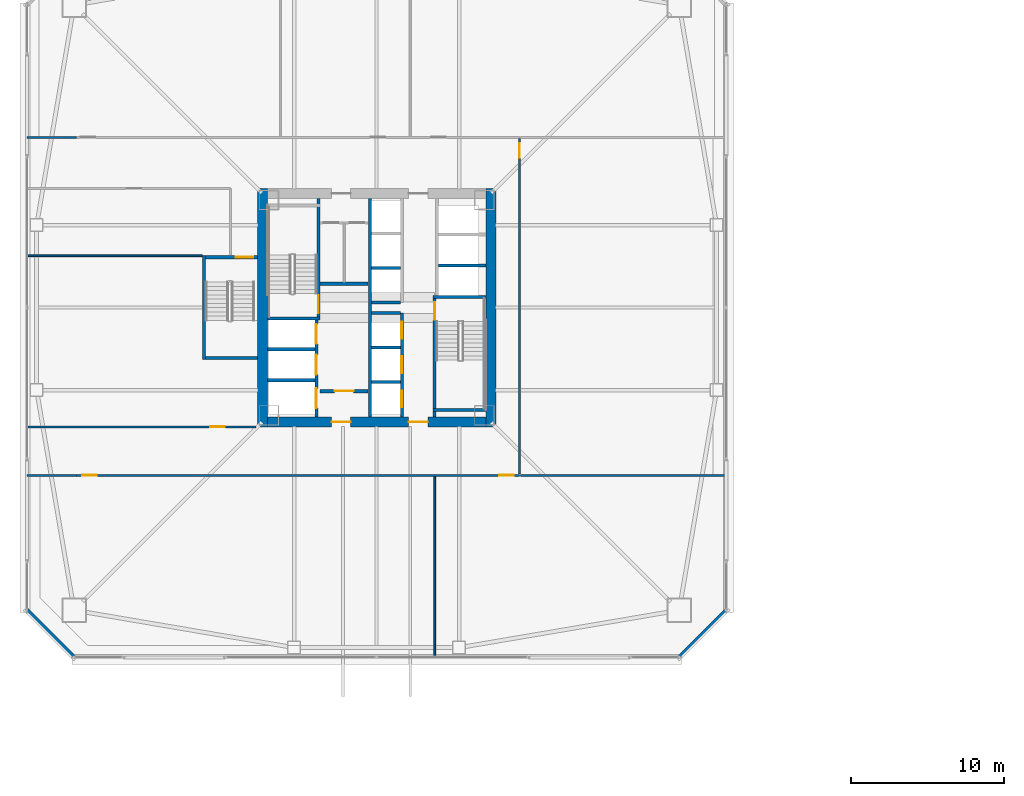
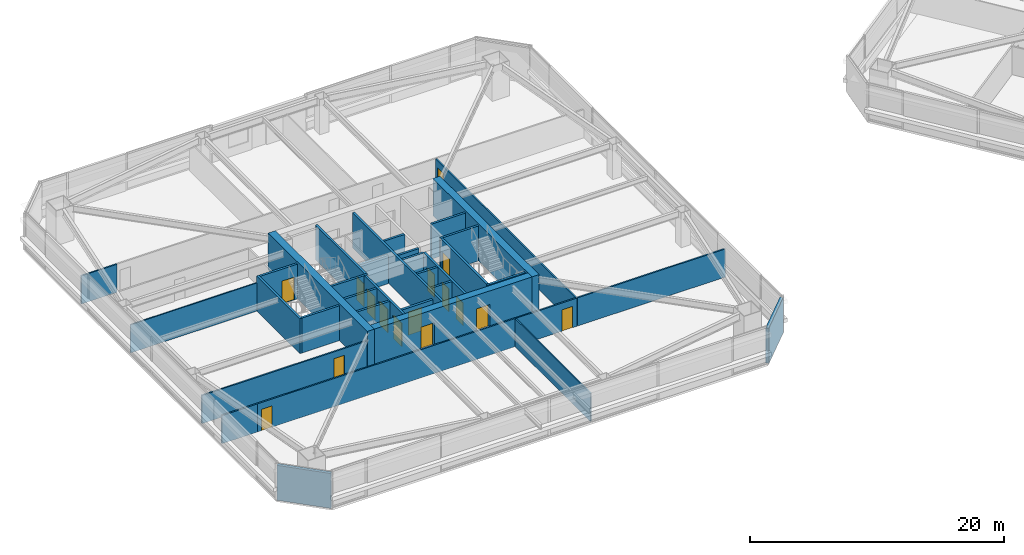
# One storey, part 37 of 48: 34 walls, 16 doors, 16 openings.
"""IFC4 building model written with IfcOpenShell, lengths in metres."""

import ifcopenshell
import ifcopenshell.guid

model = None  # the IFC model being written
_history = None  # IfcOwnerHistory: only IFC2X3 demands one
_inside = {}  # id of a spatial element -> (the spatial element, [elements in it])
_under = {}  # id of a project, library or spatial element -> (it, [spatial elements below it])
_declared = {}  # id of a project -> (the project, [libraries it declares])
_typed = {}  # id of a type object -> (the type object, [elements of that type])
_made_of = {}  # id of a material, layer set ... -> (it, [elements and type objects made of it])


def new_model(schema):
    """Start an empty IFC model of exactly this schema.

    Asked for "IFC4X3", IfcOpenShell would pick the latest addendum, in which some entities
    have other attributes; the version numbers below select the first issue.
    IFC2X3 requires an IfcOwnerHistory on every rooted entity: one is made here for all.
    """
    global model, _history
    if schema == "IFC4X3":
        model = ifcopenshell.file(schema_version=(4, 3, 0, 0))
    else:
        model = ifcopenshell.file(schema=schema)
    _inside.clear()
    _under.clear()
    _declared.clear()
    _typed.clear()
    _made_of.clear()
    _history = None
    if model.schema == "IFC2X3":
        org = make("IfcOrganization", Name="unknown")
        user = make(
            "IfcPersonAndOrganization",
            ThePerson=make("IfcPerson", FamilyName="unknown"),
            TheOrganization=org,
        )
        app = make(
            "IfcApplication",
            ApplicationDeveloper=org,
            Version="unknown",
            ApplicationFullName="unknown",
            ApplicationIdentifier="unknown",
        )
        _history = make(
            "IfcOwnerHistory",
            OwningUser=user,
            OwningApplication=app,
            ChangeAction="ADDED",
            CreationDate=0,
        )
    return model


def make(cls, **values):
    """One entity of the class cls with the attributes given. An attribute that is None is left unset."""
    return model.create_entity(
        cls, **{name: value for name, value in values.items() if value is not None}
    )


def rooted(cls, **values):
    """An entity with a GlobalId (a new one), such as an element, a storey or a relation."""
    return make(cls, GlobalId=ifcopenshell.guid.new(), OwnerHistory=_history, **values)


def si_unit(unit_type, name, prefix=None):
    """IfcSIUnit, for example si_unit("LENGTHUNIT", "METRE", prefix="MILLI")."""
    return make("IfcSIUnit", UnitType=unit_type, Prefix=prefix, Name=name)


def assignment(units):
    """IfcUnitAssignment: the units of a project."""
    return None if units is None else make("IfcUnitAssignment", Units=units)


def point(xyz):
    """IfcCartesianPoint."""
    return None if xyz is None else make("IfcCartesianPoint", Coordinates=xyz)


def direction(xyz):
    """IfcDirection."""
    return None if xyz is None else make("IfcDirection", DirectionRatios=xyz)


def frame(location, z_axis=None, x_axis=None):
    """IfcAxis2Placement3D, a coordinate frame: its origin and axes. An axis left out is left unset."""
    return make(
        "IfcAxis2Placement3D",
        Location=point(location),
        Axis=direction(z_axis),
        RefDirection=direction(x_axis),
    )


def frame_2d(location, x_axis=None):
    """IfcAxis2Placement2D, a coordinate frame in the plane: its origin and x axis."""
    return make(
        "IfcAxis2Placement2D", Location=point(location), RefDirection=direction(x_axis)
    )


def origin():
    """The frame at (0, 0, 0) with its axes left unset."""
    return frame((0.0, 0.0, 0.0))


def place(relative_to, where):
    """IfcLocalPlacement: puts the frame where relative to a parent placement (None: the world)."""
    return make(
        "IfcLocalPlacement", PlacementRelTo=relative_to, RelativePlacement=where
    )


def context(
    kind, dimensions, precision=None, world=None, true_north=None, identifier=None
):
    """IfcGeometricRepresentationContext, for example the 3D "Model" context."""
    return make(
        "IfcGeometricRepresentationContext",
        ContextIdentifier=identifier,
        ContextType=kind,
        CoordinateSpaceDimension=dimensions,
        Precision=precision,
        WorldCoordinateSystem=world,
        TrueNorth=true_north,
    )


def subcontext(parent, identifier, kind, view, scale=None):
    """IfcGeometricRepresentationSubContext, for example "Body" below "Model"."""
    return make(
        "IfcGeometricRepresentationSubContext",
        ContextIdentifier=identifier,
        ContextType=kind,
        ParentContext=parent,
        TargetScale=scale,
        TargetView=view,
    )


def project(units=None, contexts=None):
    """IfcProject with its units and contexts."""
    return rooted(
        "IfcProject",
        Name="project",
        RepresentationContexts=contexts,
        UnitsInContext=assignment(units),
    )


def spatial(cls, under=None, at=None, **own):
    """A site, building, storey or space (cls), placed at a placement, below another one or the project."""
    s = rooted(cls, ObjectPlacement=at, **own)
    if under is not None:
        _under.setdefault(under.id(), (under, []))[1].append(s)
    return s


def profile(cls, at=None, kind="AREA", **sizes):
    """A parametric profile (cls). Its sizes go by their IFC names, for example OverallWidth=200.0."""
    return make(cls, ProfileType=kind, Position=at, **sizes)


def rectangle(**sizes):
    """IfcRectangleProfileDef."""
    return profile("IfcRectangleProfileDef", **sizes)


def extrude(swept, where, along, depth):
    """IfcExtrudedAreaSolid: the profile swept, set in the frame where, extruded along a direction by depth."""
    return make(
        "IfcExtrudedAreaSolid",
        SweptArea=swept,
        Position=where,
        ExtrudedDirection=direction(along),
        Depth=depth,
    )


def shape(context_of_items, identifier, shape_type, items):
    """IfcShapeRepresentation: the items that make up one representation, for example the "Body"."""
    return make(
        "IfcShapeRepresentation",
        ContextOfItems=context_of_items,
        RepresentationIdentifier=identifier,
        RepresentationType=shape_type,
        Items=items,
    )


def material(Name=None, Category=None):
    """IfcMaterial."""
    return make("IfcMaterial", Name=Name, Category=Category)


def layer(
    of_material, thickness, ventilated=None, Name=None, Category=None, Priority=None
):
    """IfcMaterialLayer: one layer of a wall or slab, of a material (None: an air gap)."""
    return make(
        "IfcMaterialLayer",
        Material=of_material,
        LayerThickness=thickness,
        IsVentilated=ventilated,
        Name=Name,
        Category=Category,
        Priority=Priority,
    )


def layer_set(layers, Name=None):
    """IfcMaterialLayerSet."""
    return make("IfcMaterialLayerSet", MaterialLayers=layers, LayerSetName=Name)


def made_of(thing, what):
    """Note that an element or type object is made of a material, layer set ...; save() writes the relation."""
    if what is not None:
        _made_of.setdefault(what.id(), (what, []))[1].append(thing)
    return thing


def type_object(cls, material=None, **own):
    """A type object (cls), such as IfcWallType, which elements share."""
    return made_of(rooted(cls, **own), material)


def element(
    cls,
    number,
    at=None,
    inside=None,
    cuts=None,
    type_object=None,
    material=None,
    context=None,
    identifier="Body",
    shape_type=None,
    held_by="IfcProductDefinitionShape",
    body=None,
    shapes=None,
    **own,
):
    """One element of the class cls, such as IfcWall. Its Tag is "e" and its number.

    at: its placement. inside: the storey or other place that contains it. cuts: it is an
    opening in that element (IfcRelVoidsElement). A single representation is given by context,
    identifier, shape_type and body (its items); several are given by shapes. held_by: the class
    of the entity that holds the representations. save() writes the other relations.
    """
    e = rooted(cls, Tag="e%d" % number, ObjectPlacement=at, **own)
    if body is not None:
        shapes = [shape(context, identifier, shape_type, body)]
    if shapes is not None:
        e.Representation = make(held_by, Representations=shapes)
    if inside is not None:
        _inside.setdefault(inside.id(), (inside, []))[1].append(e)
    if cuts is not None:
        rooted(
            "IfcRelVoidsElement", RelatingBuildingElement=cuts, RelatedOpeningElement=e
        )
    if type_object is not None:
        _typed.setdefault(type_object.id(), (type_object, []))[1].append(e)
    return made_of(e, material)


def fill(opening, filler):
    """IfcRelFillsElement: the door or window that sits in an opening."""
    return rooted(
        "IfcRelFillsElement",
        RelatingOpeningElement=opening,
        RelatedBuildingElement=filler,
    )


def aggregate(whole, parts):
    """IfcRelAggregates: a whole, such as a stair, and the parts it consists of."""
    return rooted("IfcRelAggregates", RelatingObject=whole, RelatedObjects=parts)


def save(model, path):
    """Write the relations noted so far, then the file.

    IfcRelAggregates (storeys below a building ...), IfcRelContainedInSpatialStructure (elements
    in a storey), IfcRelDefinesByType, IfcRelAssociatesMaterial and IfcRelDeclares: one each for
    every whole, place, type object, material and project.
    """
    for whole, parts in _under.values():
        aggregate(whole, parts)
    for where, things in _inside.values():
        rooted(
            "IfcRelContainedInSpatialStructure",
            RelatedElements=things,
            RelatingStructure=where,
        )
    for kind, things in _typed.values():
        rooted("IfcRelDefinesByType", RelatedObjects=things, RelatingType=kind)
    for what, things in _made_of.values():
        rooted("IfcRelAssociatesMaterial", RelatedObjects=things, RelatingMaterial=what)
    for by, libraries in _declared.values():
        rooted("IfcRelDeclares", RelatingContext=by, RelatedDefinitions=libraries)
    model.write(path)


model = new_model("IFC4")

# Units and contexts
model_context = context("Model", 3, precision=1e-05, world=origin(), true_north=direction((0.0, 1.0)))
body_context = subcontext(model_context, "Body", "Model", "MODEL_VIEW")
ifc_project = project(units=[si_unit("LENGTHUNIT", "METRE"), si_unit("AREAUNIT", "SQUARE_METRE"), si_unit("VOLUMEUNIT", "CUBIC_METRE"), si_unit("PLANEANGLEUNIT", "RADIAN"), si_unit("MASSUNIT", "GRAM", prefix="KILO")], contexts=[model_context])

# Site, building, storey
site_placement = place(None, origin())
site = spatial("IfcSite", under=ifc_project, at=site_placement, CompositionType="ELEMENT")
building_placement = place(site_placement, origin())
building = spatial("IfcBuilding", under=site, at=building_placement, Name="Tashvorn Skyway Center", CompositionType="ELEMENT")
storey_placement = place(building_placement, frame((0.0, 0.0, 53.0)))
storey = spatial("IfcBuildingStorey", under=building, at=storey_placement, Name="L13", CompositionType="ELEMENT", Elevation=53.0)

# Walls
ifc_material_1 = material(Name="Concrete C60/75", Category="concrete")
ifc_layer_1 = layer(ifc_material_1, 0.64990234375)
ifc_layer_set_1 = layer_set([ifc_layer_1], Name="Concrete C60/75")
wall_type_1 = type_object("IfcWallType", Name="WALL-CORE-650", PredefinedType="SHEAR", material=ifc_layer_set_1)
for number, where, z_axis, x_axis, name in (
    (1, (34.52490234375, 24.199951171875, 0.0), (0.0, 0.0, 1.0), (0.0, 1.0, 0.0), "Tower 1 L13 West Core Shear Wall"),
    (2, (49.47509765625, 39.800048828125, 0.0), (0.0, 0.0, 1.0), (0.0, -1.0, 0.0), "Tower 1 L13 East Core Shear Wall"),
):
    element("IfcWall", number, at=place(storey_placement, frame(where, z_axis=z_axis, x_axis=x_axis)), inside=storey, type_object=wall_type_1, Name=name, PredefinedType="SHEAR", context=body_context, shape_type="SweptSolid", body=[
        extrude(rectangle(XDim=15.60009765625, YDim=0.64990234375, at=frame_2d((7.800048828125, 0.0))), origin(), (0.0, 0.0, 1.0), 3.550048828125),
    ])

# Wall, openings, doors
wall_1_placement = place(storey_placement, frame((49.14990234375, 24.52490234375, 0.0), z_axis=(0.0, 0.0, 1.0), x_axis=(-1.0, 0.0, 0.0)))
wall_1 = element("IfcWall", 3, at=wall_1_placement, inside=storey, type_object=wall_type_1, Name="Tower 1 L13 South Core Shear Wall", PredefinedType="SHEAR", context=body_context, shape_type="SweptSolid", body=[
    extrude(rectangle(XDim=14.2998046875, YDim=0.64990234375, at=frame_2d((7.14990234375, 0.0))), origin(), (0.0, 0.0, 1.0), 3.550048828125),
])
opening_1_placement = place(wall_1_placement, frame((8.85009765625, 0.0, 0.0)))
opening_1 = element("IfcOpeningElement", 4, at=opening_1_placement, cuts=wall_1, Name="Opening D-FFL-1250", PredefinedType="OPENING", context=body_context, shape_type="SweptSolid", body=[
    extrude(rectangle(XDim=1.25, YDim=2.25, at=frame_2d((0.625, 1.125))), frame((0.0, 0.3349609375, 0.0), z_axis=(0.0, -1.0, 0.0), x_axis=(1.0, 0.0, 0.0)), (0.0, 0.0, 1.0), 0.669921875),
])
opening_2_placement = place(wall_1_placement, frame((3.800048828125, 0.0, 0.0)))
opening_2 = element("IfcOpeningElement", 5, at=opening_2_placement, cuts=wall_1, Name="Opening D-FFL-1250", PredefinedType="OPENING", context=body_context, shape_type="SweptSolid", body=[
    extrude(rectangle(XDim=1.25, YDim=2.25, at=frame_2d((0.625, 1.125))), frame((0.0, 0.3349609375, 0.0), z_axis=(0.0, -1.0, 0.0), x_axis=(1.0, 0.0, 0.0)), (0.0, 0.0, 1.0), 0.669921875),
])
ifc_material_2 = material(Name="Hollow galvanized steel fire door assembly", Category="steel")
door_type_1 = type_object("IfcDoorType", Name="DOOR-FFL-1250", OperationType="NOTDEFINED", PredefinedType="DOOR", material=ifc_material_2)
door_1_placement = place(opening_1_placement, origin())
door_1 = element("IfcDoor", 6, at=door_1_placement, inside=storey, type_object=door_type_1, Name="Tower 1 L13 Core South Firefighting Exit Door", OperationType="SINGLE_SWING_LEFT", OverallHeight=2.25, OverallWidth=1.25, PredefinedType="DOOR", context=body_context, shape_type="SweptSolid", body=[
    extrude(rectangle(XDim=1.25, YDim=2.25, at=frame_2d((0.625, 1.125))), frame((0.0, 0.02490234375, 0.0), z_axis=(0.0, -1.0, 0.0), x_axis=(1.0, 0.0, 0.0)), (0.0, 0.0, 1.0), 0.050048828125),
])
fill(opening_1, door_1)
door_2_placement = place(opening_2_placement, origin())
door_2 = element("IfcDoor", 7, at=door_2_placement, inside=storey, type_object=door_type_1, Name="Tower 1 L13 Core South Lift Lobby Door", OperationType="SINGLE_SWING_RIGHT", OverallHeight=2.25, OverallWidth=1.25, PredefinedType="DOOR", context=body_context, shape_type="SweptSolid", body=[
    extrude(rectangle(XDim=1.25, YDim=2.25, at=frame_2d((0.625, 1.125))), frame((0.0, 0.02490234375, 0.0), z_axis=(0.0, -1.0, 0.0), x_axis=(1.0, 0.0, 0.0)), (0.0, 0.0, 1.0), 0.050048828125),
])
fill(opening_2, door_2)

# Walls
ifc_material_3 = material(Name="Precast concrete C40/50", Category="concrete")
ifc_layer_2 = layer(ifc_material_3, 0.280029296875)
ifc_layer_set_2 = layer_set([ifc_layer_2], Name="Precast concrete C40/50")
wall_type_2 = type_object("IfcWallType", Name="WALL-EXT-280", PredefinedType="SOLIDWALL", material=ifc_layer_set_2)
for number, where, z_axis, x_axis, name in (
    (8, (22.199951171875, 9.10009765625, 0.0), (0.0, 0.0, 1.0), (-0.707106781187, 0.707106781187, 0.0), "Tower 1 L13 SW Precast Chamfer Wall"),
    (9, (64.89990234375, 12.199951171875, 0.0), (0.0, 0.0, 1.0), (-0.707106781187, -0.707106781187, 0.0), "Tower 1 L13 SE Precast Chamfer Wall"),
):
    element("IfcWall", number, at=place(storey_placement, frame(where, z_axis=z_axis, x_axis=x_axis)), inside=storey, type_object=wall_type_2, Name=name, PredefinedType="SOLIDWALL", context=body_context, shape_type="SweptSolid", body=[
        extrude(rectangle(XDim=4.3837890625, YDim=0.280029296875, at=frame_2d((2.19189453125, 0.0))), origin(), (0.0, 0.0, 1.0), 3.35009765625),
    ])
ifc_material_4 = material(Name="Concrete C40/50", Category="concrete")
ifc_layer_3 = layer(ifc_material_4, 0.219970703125)
ifc_layer_set_3 = layer_set([ifc_layer_3], Name="Concrete C40/50")
wall_type_3 = type_object("IfcWallType", Name="WALL-FFL-220", PredefinedType="SOLIDWALL", material=ifc_layer_set_3)
wall_2_placement = place(storey_placement, frame((38.300048828125, 33.56005859375, 0.0), z_axis=(0.0, 0.0, 1.0), x_axis=(1.0, 0.0, 0.0)))
element("IfcWall", 10, at=wall_2_placement, inside=storey, type_object=wall_type_3, Name="Tower 1 L13 Firefighting Lobby North Wall", PredefinedType="SOLIDWALL", context=body_context, shape_type="SweptSolid", body=[
    extrude(rectangle(XDim=3.14990234375, YDim=0.219970703125, at=frame_2d((1.574951171875, 0.0))), origin(), (0.0, 0.0, 1.0), 2.702880859375),
])

# Wall, opening, door
wall_3_placement = place(storey_placement, frame((38.300048828125, 26.5400390625, 0.0), z_axis=(0.0, 0.0, 1.0), x_axis=(1.0, 0.0, 0.0)))
wall_3 = element("IfcWall", 11, at=wall_3_placement, inside=storey, type_object=wall_type_3, Name="Tower 1 L13 Firefighting Lobby South Wall", PredefinedType="SOLIDWALL", context=body_context, shape_type="SweptSolid", body=[
    extrude(rectangle(XDim=3.14990234375, YDim=0.219970703125, at=frame_2d((1.574951171875, 0.0))), origin(), (0.0, 0.0, 1.0), 2.702880859375),
])
opening_3_placement = place(wall_3_placement, frame((0.949951171875, 0.0, 0.0)))
opening_3 = element("IfcOpeningElement", 12, at=opening_3_placement, cuts=wall_3, Name="Opening D-FFL-1250", PredefinedType="OPENING", context=body_context, shape_type="SweptSolid", body=[
    extrude(rectangle(XDim=1.25, YDim=2.25, at=frame_2d((0.625, 1.125))), frame((0.0, 0.119873046875, 0.0), z_axis=(0.0, -1.0, 0.0), x_axis=(1.0, 0.0, 0.0)), (0.0, 0.0, 1.0), 0.239990234375),
])
door_3_placement = place(opening_3_placement, origin())
door_3 = element("IfcDoor", 13, at=door_3_placement, inside=storey, type_object=door_type_1, Name="Tower 1 L13 Firefighting Lobby Egress Door", OperationType="SINGLE_SWING_LEFT", OverallHeight=2.25, OverallWidth=1.25, PredefinedType="DOOR", context=body_context, shape_type="SweptSolid", body=[
    extrude(rectangle(XDim=1.25, YDim=2.25, at=frame_2d((0.625, 1.125))), frame((0.0, 0.02490234375, 0.0), z_axis=(0.0, -1.0, 0.0), x_axis=(1.0, 0.0, 0.0)), (0.0, 0.0, 1.0), 0.050048828125),
])
fill(opening_3, door_3)

# Walls
ifc_material_5 = material(Name="Gypsum board on cold-formed steel stud framing", Category="steel")
ifc_layer_4 = layer(ifc_material_5, 0.110107421875)
ifc_layer_set_4 = layer_set([ifc_layer_4], Name="Gypsum board on cold-formed steel stud framing")
wall_type_4 = type_object("IfcWallType", Name="WALL-PART-110", PredefinedType="PARTITIONING", material=ifc_layer_set_4)
wall_4_placement = place(storey_placement, frame((45.800048828125, 9.1201171875, 0.0), z_axis=(0.0, 0.0, 1.0), x_axis=(0.0, 1.0, 0.0)))
element("IfcWall", 14, at=wall_4_placement, inside=storey, type_object=wall_type_4, Name="Tower 1 L13 South Suite Partition 1", PredefinedType="PARTITIONING", context=body_context, shape_type="SweptSolid", body=[
    extrude(rectangle(XDim=11.829833984375, YDim=0.110107421875, at=frame_2d((5.9150390625, 0.0))), origin(), (0.0, 0.0, 1.0), 2.702880859375),
])
wall_5_placement = place(storey_placement, frame((30.60009765625, 35.39990234375, 0.0), z_axis=(0.0, 0.0, 1.0), x_axis=(-1.0, 0.0, 0.0)))
element("IfcWall", 15, at=wall_5_placement, inside=storey, type_object=wall_type_4, Name="Tower 1 L13 West Suite Partition 1", PredefinedType="PARTITIONING", context=body_context, shape_type="SweptSolid", body=[
    extrude(rectangle(XDim=11.47998046875, YDim=0.110107421875, at=frame_2d((5.739990234375, 0.0))), origin(), (0.0, 0.0, 1.0), 2.702880859375),
])
ifc_layer_5 = layer(ifc_material_5, 0.135009765625)
ifc_layer_set_5 = layer_set([ifc_layer_5], Name="Gypsum board on cold-formed steel stud framing")
wall_type_5 = type_object("IfcWallType", Name="WALL-PART-135", PredefinedType="PARTITIONING", material=ifc_layer_set_5)
wall_6_placement = place(storey_placement, frame((19.1201171875, 43.14990234375, 0.0), z_axis=(0.0, 0.0, 1.0), x_axis=(1.0, 0.0, 0.0)))
element("IfcWall", 16, at=wall_6_placement, inside=storey, type_object=wall_type_5, Name="Tower 1 L13 North-West Suite South Wall", PredefinedType="PARTITIONING", context=body_context, shape_type="SweptSolid", body=[
    extrude(rectangle(XDim=3.22998046875, YDim=0.135009765625, at=frame_2d((1.614990234375, 0.0))), origin(), (0.0, 0.0, 1.0), 2.702880859375),
])

# Wall, openings, doors
wall_7_placement = place(storey_placement, frame((51.35009765625, 21.030029296875, 0.0), z_axis=(0.0, 0.0, 1.0), x_axis=(-1.0, 0.0, 0.0)))
wall_7 = element("IfcWall", 17, at=wall_7_placement, inside=storey, type_object=wall_type_5, Name="Tower 1 L13 South Suite Wall", PredefinedType="PARTITIONING", context=body_context, shape_type="SweptSolid", body=[
    extrude(rectangle(XDim=29.0, YDim=0.135009765625, at=frame_2d((14.5, 0.0))), origin(), (0.0, 0.0, 1.0), 2.702880859375),
])
opening_4_placement = place(wall_7_placement, frame((27.669921875, 0.0, 0.0)))
opening_4 = element("IfcOpeningElement", 18, at=opening_4_placement, cuts=wall_7, Name="Opening D-INT-950", PredefinedType="OPENING", context=body_context, shape_type="SweptSolid", body=[
    extrude(rectangle(XDim=0.949951171875, YDim=2.050048828125, at=frame_2d((0.47509765625, 1.02490234375))), frame((0.0, 0.077392578125, 0.0), z_axis=(0.0, -1.0, 0.0), x_axis=(1.0, 0.0, 0.0)), (0.0, 0.0, 1.0), 0.155029296875),
])
opening_5_placement = place(wall_7_placement, frame((0.3798828125, 0.0, 0.0)))
opening_5 = element("IfcOpeningElement", 19, at=opening_5_placement, cuts=wall_7, Name="Opening D-INT-950", PredefinedType="OPENING", context=body_context, shape_type="SweptSolid", body=[
    extrude(rectangle(XDim=0.949951171875, YDim=2.050048828125, at=frame_2d((0.47509765625, 1.02490234375))), frame((0.0, 0.077392578125, 0.0), z_axis=(0.0, -1.0, 0.0), x_axis=(1.0, 0.0, 0.0)), (0.0, 0.0, 1.0), 0.155029296875),
])
ifc_material_6 = material(Name="Solid-core architectural oak veneer door")
door_type_2 = type_object("IfcDoorType", Name="DOOR-INT-950", OperationType="NOTDEFINED", PredefinedType="DOOR", material=ifc_material_6)
door_4_placement = place(opening_4_placement, origin())
door_4 = element("IfcDoor", 20, at=door_4_placement, inside=storey, type_object=door_type_2, Name="Tower 1 L13 Executive Study Lounge Door", OperationType="SINGLE_SWING_LEFT", OverallHeight=2.050048828125, OverallWidth=0.949951171875, PredefinedType="DOOR", context=body_context, shape_type="SweptSolid", body=[
    extrude(rectangle(XDim=0.949951171875, YDim=2.050048828125, at=frame_2d((0.47509765625, 1.02490234375))), frame((0.0, 0.02490234375, 0.0), z_axis=(0.0, -1.0, 0.0), x_axis=(1.0, 0.0, 0.0)), (0.0, 0.0, 1.0), 0.050048828125),
])
fill(opening_4, door_4)
door_5_placement = place(opening_5_placement, origin())
door_5 = element("IfcDoor", 21, at=door_5_placement, inside=storey, type_object=door_type_2, Name="Tower 1 L13 Staff Fitness Club Door", OperationType="SINGLE_SWING_RIGHT", OverallHeight=2.050048828125, OverallWidth=0.949951171875, PredefinedType="DOOR", context=body_context, shape_type="SweptSolid", body=[
    extrude(rectangle(XDim=0.949951171875, YDim=2.050048828125, at=frame_2d((0.47509765625, 1.02490234375))), frame((0.0, 0.02490234375, 0.0), z_axis=(0.0, -1.0, 0.0), x_axis=(1.0, 0.0, 0.0)), (0.0, 0.0, 1.0), 0.050048828125),
])
fill(opening_5, door_5)

# Wall
wall_8_placement = place(storey_placement, frame((19.1201171875, 21.030029296875, 0.0), z_axis=(0.0, 0.0, 1.0), x_axis=(1.0, 0.0, 0.0)))
element("IfcWall", 22, at=wall_8_placement, inside=storey, type_object=wall_type_5, Name="Tower 1 L13 South-West Suite North Wall", PredefinedType="PARTITIONING", context=body_context, shape_type="SweptSolid", body=[
    extrude(rectangle(XDim=3.22998046875, YDim=0.135009765625, at=frame_2d((1.614990234375, 0.0))), origin(), (0.0, 0.0, 1.0), 2.702880859375),
])

# Wall, opening, door
wall_9_placement = place(storey_placement, frame((51.35009765625, 43.070068359375, 0.0), z_axis=(0.0, 0.0, 1.0), x_axis=(0.0, -1.0, 0.0)))
wall_9 = element("IfcWall", 23, at=wall_9_placement, inside=storey, type_object=wall_type_5, Name="Tower 1 L13 East Inner Suite Wall", PredefinedType="PARTITIONING", context=body_context, shape_type="SweptSolid", body=[
    extrude(rectangle(XDim=21.9599609375, YDim=0.135009765625, at=frame_2d((10.97998046875, 0.0))), origin(), (0.0, 0.0, 1.0), 2.702880859375),
])
opening_6_placement = place(wall_9_placement, frame((0.300048828125, 0.0, 0.0)))
opening_6 = element("IfcOpeningElement", 24, at=opening_6_placement, cuts=wall_9, Name="Opening D-INT-950", PredefinedType="OPENING", context=body_context, shape_type="SweptSolid", body=[
    extrude(rectangle(XDim=0.949951171875, YDim=2.050048828125, at=frame_2d((0.47509765625, 1.02490234375))), frame((0.0, 0.077392578125, 0.0), z_axis=(0.0, -1.0, 0.0), x_axis=(1.0, 0.0, 0.0)), (0.0, 0.0, 1.0), 0.155029296875),
])
door_6_placement = place(opening_6_placement, origin())
door_6 = element("IfcDoor", 25, at=door_6_placement, inside=storey, type_object=door_type_2, Name="Tower 1 L13 Open Plan Office Door", OperationType="SINGLE_SWING_LEFT", OverallHeight=2.050048828125, OverallWidth=0.949951171875, PredefinedType="DOOR", context=body_context, shape_type="SweptSolid", body=[
    extrude(rectangle(XDim=0.949951171875, YDim=2.050048828125, at=frame_2d((0.47509765625, 1.02490234375))), frame((0.0, 0.02490234375, 0.0), z_axis=(0.0, -1.0, 0.0), x_axis=(1.0, 0.0, 0.0)), (0.0, 0.0, 1.0), 0.050048828125),
])
fill(opening_6, door_6)

# Wall
wall_10_placement = place(storey_placement, frame((51.429931640625, 21.030029296875, 0.0), z_axis=(0.0, 0.0, 1.0), x_axis=(1.0, 0.0, 0.0)))
element("IfcWall", 26, at=wall_10_placement, inside=storey, type_object=wall_type_5, Name="Tower 1 L13 East Suite South Wall", PredefinedType="PARTITIONING", context=body_context, shape_type="SweptSolid", body=[
    extrude(rectangle(XDim=13.449951171875, YDim=0.135009765625, at=frame_2d((6.72509765625, 0.0))), origin(), (0.0, 0.0, 1.0), 2.702880859375),
])

# Wall, opening, door
wall_11_placement = place(storey_placement, frame((19.1201171875, 24.199951171875, 0.0), z_axis=(0.0, 0.0, 1.0), x_axis=(1.0, 0.0, 0.0)))
wall_11 = element("IfcWall", 27, at=wall_11_placement, inside=storey, type_object=wall_type_5, Name="Tower 1 L13 West Suite South Wall", PredefinedType="PARTITIONING", context=body_context, shape_type="SweptSolid", body=[
    extrude(rectangle(XDim=15.0, YDim=0.135009765625, at=frame_2d((7.5, 0.0))), origin(), (0.0, 0.0, 1.0), 2.702880859375),
])
opening_7_placement = place(wall_11_placement, frame((12.0048828125, 0.0, 0.0)))
opening_7 = element("IfcOpeningElement", 28, at=opening_7_placement, cuts=wall_11, Name="Opening D-INT-950", PredefinedType="OPENING", context=body_context, shape_type="SweptSolid", body=[
    extrude(rectangle(XDim=0.949951171875, YDim=2.050048828125, at=frame_2d((0.47509765625, 1.02490234375))), frame((0.0, 0.077392578125, 0.0), z_axis=(0.0, -1.0, 0.0), x_axis=(1.0, 0.0, 0.0)), (0.0, 0.0, 1.0), 0.155029296875),
])
door_7_placement = place(opening_7_placement, origin())
door_7 = element("IfcDoor", 29, at=door_7_placement, inside=storey, type_object=door_type_2, Name="Tower 1 L13 Public Restroom Door", OperationType="SINGLE_SWING_LEFT", OverallHeight=2.050048828125, OverallWidth=0.949951171875, PredefinedType="DOOR", context=body_context, shape_type="SweptSolid", body=[
    extrude(rectangle(XDim=0.949951171875, YDim=2.050048828125, at=frame_2d((0.47509765625, 1.02490234375))), frame((0.0, 0.02490234375, 0.0), z_axis=(0.0, -1.0, 0.0), x_axis=(1.0, 0.0, 0.0)), (0.0, 0.0, 1.0), 0.050048828125),
])
fill(opening_7, door_7)

# Walls
ifc_layer_6 = layer(ifc_material_4, 0.199951171875)
ifc_layer_set_6 = layer_set([ifc_layer_6], Name="Concrete C40/50")
wall_type_6 = type_object("IfcWallType", Name="WALL-SHAFT-200", PredefinedType="SOLIDWALL", material=ifc_layer_set_6)
for number, where, z_axis, x_axis, name in (
    (30, (34.85009765625, 27.25, 0.0), (0.0, 0.0, 1.0), (1.0, 0.0, 0.0), "Tower 1 L13 FSAE Shaft Divider"),
    (31, (34.85009765625, 29.280029296875, 0.0), (0.0, 0.0, 1.0), (1.0, 0.0, 0.0), "Tower 1 L13 FSAE Shaft Divider"),
    (32, (46.050048828125, 34.75, 0.0), (0.0, 0.0, 1.0), (1.0, 0.0, 0.0), "Tower 1 L13 High-Rise Shaft Divider"),
):
    element("IfcWall", number, at=place(storey_placement, frame(where, z_axis=z_axis, x_axis=x_axis)), inside=storey, type_object=wall_type_6, Name=name, PredefinedType="SOLIDWALL", context=body_context, shape_type="SweptSolid", body=[
        extrude(rectangle(XDim=3.099853515625, YDim=0.199951171875, at=frame_2d((1.5498046875, 0.0))), origin(), (0.0, 0.0, 1.0), 3.35009765625),
    ])

# Wall, openings, doors
wall_12_placement = place(storey_placement, frame((43.64990234375, 24.85009765625, 0.0), z_axis=(0.0, 0.0, 1.0), x_axis=(0.0, 1.0, 0.0)))
wall_12 = element("IfcWall", 33, at=wall_12_placement, inside=storey, type_object=wall_type_6, Name="Tower 1 L13 Low-Rise Core Wall", PredefinedType="SOLIDWALL", context=body_context, shape_type="SweptSolid", body=[
    extrude(rectangle(XDim=6.7998046875, YDim=0.199951171875, at=frame_2d((3.39990234375, 0.0))), origin(), (0.0, 0.0, 1.0), 3.35009765625),
])
opening_8_placement = place(wall_12_placement, frame((0.625, 0.0, 0.0)))
opening_8 = element("IfcOpeningElement", 34, at=opening_8_placement, cuts=wall_12, Name="Opening LD-LR-T1-1-L13", PredefinedType="OPENING", context=body_context, shape_type="SweptSolid", body=[
    extrude(rectangle(XDim=1.10009765625, YDim=2.199951171875, at=frame_2d((0.550048828125, 1.10009765625))), frame((0.0, 0.10986328125, 0.0), z_axis=(0.0, -1.0, 0.0), x_axis=(1.0, 0.0, 0.0)), (0.0, 0.0, 1.0), 0.219970703125),
])
opening_9_placement = place(wall_12_placement, frame((2.875, 0.0, 0.0)))
opening_9 = element("IfcOpeningElement", 35, at=opening_9_placement, cuts=wall_12, Name="Opening LD-LR-T1-2-L13", PredefinedType="OPENING", context=body_context, shape_type="SweptSolid", body=[
    extrude(rectangle(XDim=1.10009765625, YDim=2.199951171875, at=frame_2d((0.550048828125, 1.10009765625))), frame((0.0, 0.10986328125, 0.0), z_axis=(0.0, -1.0, 0.0), x_axis=(1.0, 0.0, 0.0)), (0.0, 0.0, 1.0), 0.219970703125),
])
opening_10_placement = place(wall_12_placement, frame((5.125, 0.0, 0.0)))
opening_10 = element("IfcOpeningElement", 36, at=opening_10_placement, cuts=wall_12, Name="Opening LD-LR-T1-3-L13", PredefinedType="OPENING", context=body_context, shape_type="SweptSolid", body=[
    extrude(rectangle(XDim=1.10009765625, YDim=2.199951171875, at=frame_2d((0.550048828125, 1.10009765625))), frame((0.0, 0.10986328125, 0.0), z_axis=(0.0, -1.0, 0.0), x_axis=(1.0, 0.0, 0.0)), (0.0, 0.0, 1.0), 0.219970703125),
])
ifc_material_7 = material(Name="Stainless steel landing door", Category="steel")
door_type_3 = type_object("IfcDoorType", Name="DOOR-LIFT-1100", OperationType="SLIDING_TO_LEFT", PredefinedType="DOOR", material=ifc_material_7)
door_8_placement = place(opening_8_placement, origin())
door_8 = element("IfcDoor", 37, at=door_8_placement, inside=storey, type_object=door_type_3, Name="Lift LR-T1-1 L13 Landing Door", OperationType="SLIDING_TO_LEFT", OverallHeight=2.199951171875, OverallWidth=1.10009765625, PredefinedType="DOOR", context=body_context, shape_type="SweptSolid", body=[
    extrude(rectangle(XDim=1.10009765625, YDim=2.199951171875, at=frame_2d((0.550048828125, 1.10009765625))), frame((0.0, 0.02490234375, 0.0), z_axis=(0.0, -1.0, 0.0), x_axis=(1.0, 0.0, 0.0)), (0.0, 0.0, 1.0), 0.050048828125),
])
fill(opening_8, door_8)
door_9_placement = place(opening_9_placement, origin())
door_9 = element("IfcDoor", 38, at=door_9_placement, inside=storey, type_object=door_type_3, Name="Lift LR-T1-2 L13 Landing Door", OperationType="SLIDING_TO_LEFT", OverallHeight=2.199951171875, OverallWidth=1.10009765625, PredefinedType="DOOR", context=body_context, shape_type="SweptSolid", body=[
    extrude(rectangle(XDim=1.10009765625, YDim=2.199951171875, at=frame_2d((0.550048828125, 1.10009765625))), frame((0.0, 0.02490234375, 0.0), z_axis=(0.0, -1.0, 0.0), x_axis=(1.0, 0.0, 0.0)), (0.0, 0.0, 1.0), 0.050048828125),
])
fill(opening_9, door_9)
door_10_placement = place(opening_10_placement, origin())
door_10 = element("IfcDoor", 39, at=door_10_placement, inside=storey, type_object=door_type_3, Name="Lift LR-T1-3 L13 Landing Door", OperationType="SLIDING_TO_LEFT", OverallHeight=2.199951171875, OverallWidth=1.10009765625, PredefinedType="DOOR", context=body_context, shape_type="SweptSolid", body=[
    extrude(rectangle(XDim=1.10009765625, YDim=2.199951171875, at=frame_2d((0.550048828125, 1.10009765625))), frame((0.0, 0.02490234375, 0.0), z_axis=(0.0, -1.0, 0.0), x_axis=(1.0, 0.0, 0.0)), (0.0, 0.0, 1.0), 0.050048828125),
])
fill(opening_10, door_10)

# Walls
for number, where, z_axis, x_axis, name in (
    (40, (41.669921875, 27.14990234375, 0.0), (0.0, 0.0, 1.0), (1.0, 0.0, 0.0), "Tower 1 L13 Low-Rise Shaft Divider"),
    (41, (41.669921875, 29.39990234375, 0.0), (0.0, 0.0, 1.0), (1.0, 0.0, 0.0), "Tower 1 L13 Low-Rise Shaft Divider"),
    (42, (41.669921875, 31.64990234375, 0.0), (0.0, 0.0, 1.0), (1.0, 0.0, 0.0), "Tower 1 L13 Low-Rise Shaft Divider"),
    (43, (41.669921875, 32.35009765625, 0.0), (0.0, 0.0, 1.0), (1.0, 0.0, 0.0), "Tower 1 L13 Mid-Rise Shaft Divider"),
    (44, (41.669921875, 34.60009765625, 0.0), (0.0, 0.0, 1.0), (1.0, 0.0, 0.0), "Tower 1 L13 Mid-Rise Shaft Divider"),
):
    element("IfcWall", number, at=place(storey_placement, frame(where, z_axis=z_axis, x_axis=x_axis)), inside=storey, type_object=wall_type_6, Name=name, PredefinedType="SOLIDWALL", context=body_context, shape_type="SweptSolid", body=[
        extrude(rectangle(XDim=1.880126953125, YDim=0.199951171875, at=frame_2d((0.93994140625, 0.0))), origin(), (0.0, 0.0, 1.0), 3.35009765625),
    ])

# Wall, opening, door
ifc_layer_7 = layer(ifc_material_4, 0.199951171875)
ifc_layer_set_7 = layer_set([ifc_layer_7], Name="Concrete C40/50")
wall_type_7 = type_object("IfcWallType", Name="WALL-STSHF-200", PredefinedType="SHEAR", material=ifc_layer_set_7)
wall_13_placement = place(storey_placement, frame((38.199951171875, 31.199951171875, 0.0), z_axis=(0.0, 0.0, 1.0), x_axis=(0.0, 1.0, 0.0)))
wall_13 = element("IfcWall", 45, at=wall_13_placement, inside=storey, type_object=wall_type_7, Name="Tower 1 L13 Stair 1 Enclosure Wall", PredefinedType="SHEAR", context=body_context, shape_type="SweptSolid", body=[
    extrude(rectangle(XDim=7.949951171875, YDim=0.199951171875, at=frame_2d((3.97509765625, 0.0))), origin(), (0.0, 0.0, 1.0), 3.35009765625),
])
opening_11_placement = place(wall_13_placement, frame((0.449951171875, 0.0, 0.0)))
opening_11 = element("IfcOpeningElement", 46, at=opening_11_placement, cuts=wall_13, Name="Opening D-ST-1150", PredefinedType="OPENING", context=body_context, shape_type="SweptSolid", body=[
    extrude(rectangle(XDim=1.14990234375, YDim=2.199951171875, at=frame_2d((0.574951171875, 1.10009765625))), frame((0.0, 0.10986328125, 0.0), z_axis=(0.0, -1.0, 0.0), x_axis=(1.0, 0.0, 0.0)), (0.0, 0.0, 1.0), 0.219970703125),
])
door_type_4 = type_object("IfcDoorType", Name="DOOR-STAIR-1150", OperationType="NOTDEFINED", PredefinedType="DOOR", material=ifc_material_2)
door_11_placement = place(opening_11_placement, origin())
door_11 = element("IfcDoor", 47, at=door_11_placement, inside=storey, type_object=door_type_4, Name="Tower 1 L13 Exit Stair 1 Door", OperationType="SINGLE_SWING_RIGHT", OverallHeight=2.199951171875, OverallWidth=1.14990234375, PredefinedType="DOOR", context=body_context, shape_type="SweptSolid", body=[
    extrude(rectangle(XDim=1.14990234375, YDim=2.199951171875, at=frame_2d((0.574951171875, 1.10009765625))), frame((0.0, 0.02490234375, 0.0), z_axis=(0.0, -1.0, 0.0), x_axis=(1.0, 0.0, 0.0)), (0.0, 0.0, 1.0), 0.050048828125),
])
fill(opening_11, door_11)

# Wall
wall_14_placement = place(storey_placement, frame((34.85009765625, 31.300048828125, 0.0), z_axis=(0.0, 0.0, 1.0), x_axis=(1.0, 0.0, 0.0)))
element("IfcWall", 48, at=wall_14_placement, inside=storey, type_object=wall_type_7, Name="Tower 1 L13 Stair 1 South Wall", PredefinedType="SHEAR", context=body_context, shape_type="SweptSolid", body=[
    extrude(rectangle(XDim=3.449951171875, YDim=0.199951171875, at=frame_2d((1.72509765625, 0.0))), origin(), (0.0, 0.0, 1.0), 3.35009765625),
])

# Wall, opening, door
wall_15_placement = place(storey_placement, frame((45.800048828125, 32.800048828125, 0.0), z_axis=(0.0, 0.0, 1.0), x_axis=(0.0, -1.0, 0.0)))
wall_15 = element("IfcWall", 49, at=wall_15_placement, inside=storey, type_object=wall_type_7, Name="Tower 1 L13 Stair 2 Enclosure Wall", PredefinedType="SHEAR", context=body_context, shape_type="SweptSolid", body=[
    extrude(rectangle(XDim=7.949951171875, YDim=0.199951171875, at=frame_2d((3.97509765625, 0.0))), origin(), (0.0, 0.0, 1.0), 3.35009765625),
])
opening_12_placement = place(wall_15_placement, frame((0.449951171875, 0.0, 0.0)))
opening_12 = element("IfcOpeningElement", 50, at=opening_12_placement, cuts=wall_15, Name="Opening D-ST-1150", PredefinedType="OPENING", context=body_context, shape_type="SweptSolid", body=[
    extrude(rectangle(XDim=1.14990234375, YDim=2.199951171875, at=frame_2d((0.574951171875, 1.10009765625))), frame((0.0, 0.10986328125, 0.0), z_axis=(0.0, -1.0, 0.0), x_axis=(1.0, 0.0, 0.0)), (0.0, 0.0, 1.0), 0.219970703125),
])
door_12_placement = place(opening_12_placement, origin())
door_12 = element("IfcDoor", 51, at=door_12_placement, inside=storey, type_object=door_type_4, Name="Tower 1 L13 Exit Stair 2 Door", OperationType="SINGLE_SWING_RIGHT", OverallHeight=2.199951171875, OverallWidth=1.14990234375, PredefinedType="DOOR", context=body_context, shape_type="SweptSolid", body=[
    extrude(rectangle(XDim=1.14990234375, YDim=2.199951171875, at=frame_2d((0.574951171875, 1.10009765625))), frame((0.0, 0.02490234375, 0.0), z_axis=(0.0, -1.0, 0.0), x_axis=(1.0, 0.0, 0.0)), (0.0, 0.0, 1.0), 0.050048828125),
])
fill(opening_12, door_12)

# Walls
for number, where, z_axis, x_axis, name in (
    (52, (45.699951171875, 32.699951171875, 0.0), (0.0, 0.0, 1.0), (1.0, 0.0, 0.0), "Tower 1 L13 Stair 2 North Wall"),
    (53, (45.699951171875, 25.300048828125, 0.0), (0.0, 0.0, 1.0), (1.0, 0.0, 0.0), "Tower 1 L13 Stair 2 South Wall"),
):
    element("IfcWall", number, at=place(storey_placement, frame(where, z_axis=z_axis, x_axis=x_axis)), inside=storey, type_object=wall_type_7, Name=name, PredefinedType="SHEAR", context=body_context, shape_type="SweptSolid", body=[
        extrude(rectangle(XDim=3.449951171875, YDim=0.199951171875, at=frame_2d((1.72509765625, 0.0))), origin(), (0.0, 0.0, 1.0), 3.35009765625),
    ])
wall_16_placement = place(storey_placement, frame((41.56005859375, 24.85009765625, 0.0), z_axis=(0.0, 0.0, 1.0), x_axis=(0.0, 1.0, 0.0)))
element("IfcWall", 54, at=wall_16_placement, inside=storey, type_object=wall_type_7, Name="Tower 1 L13 Firefighting Lobby East Smoke Barrier", PredefinedType="SHEAR", context=body_context, shape_type="SweptSolid", body=[
    extrude(rectangle(XDim=14.2998046875, YDim=0.199951171875, at=frame_2d((7.14990234375, 0.0))), origin(), (0.0, 0.0, 1.0), 3.35009765625),
])

# Wall, openings, doors
wall_17_placement = place(storey_placement, frame((38.050048828125, 24.85009765625, 0.0), z_axis=(0.0, 0.0, 1.0), x_axis=(0.0, 1.0, 0.0)))
wall_17 = element("IfcWall", 55, at=wall_17_placement, inside=storey, type_object=wall_type_7, Name="Tower 1 L13 FSAE and Goods Shaft Front Wall", PredefinedType="SHEAR", context=body_context, shape_type="SweptSolid", body=[
    extrude(rectangle(XDim=6.349853515625, YDim=0.199951171875, at=frame_2d((3.1748046875, 0.0))), origin(), (0.0, 0.0, 1.0), 3.35009765625),
])
opening_13_placement = place(wall_17_placement, frame((4.77490234375, 0.0, 0.0)))
opening_13 = element("IfcOpeningElement", 56, at=opening_13_placement, cuts=wall_17, Name="Opening LD-FF-T1-1-L13", PredefinedType="OPENING", context=body_context, shape_type="SweptSolid", body=[
    extrude(rectangle(XDim=1.300048828125, YDim=2.25, at=frame_2d((0.64990234375, 1.125))), frame((0.0, 0.10986328125, 0.0), z_axis=(0.0, -1.0, 0.0), x_axis=(1.0, 0.0, 0.0)), (0.0, 0.0, 1.0), 0.219970703125),
])
opening_14_placement = place(wall_17_placement, frame((2.77490234375, 0.0, 0.0)))
opening_14 = element("IfcOpeningElement", 57, at=opening_14_placement, cuts=wall_17, Name="Opening LD-FF-T1-2-L13", PredefinedType="OPENING", context=body_context, shape_type="SweptSolid", body=[
    extrude(rectangle(XDim=1.300048828125, YDim=2.25, at=frame_2d((0.64990234375, 1.125))), frame((0.0, 0.10986328125, 0.0), z_axis=(0.0, -1.0, 0.0), x_axis=(1.0, 0.0, 0.0)), (0.0, 0.0, 1.0), 0.219970703125),
])
opening_15_placement = place(wall_17_placement, frame((0.574951171875, 0.0, 0.0)))
opening_15 = element("IfcOpeningElement", 58, at=opening_15_placement, cuts=wall_17, Name="Opening LD-GD-T1-1-L13", PredefinedType="OPENING", context=body_context, shape_type="SweptSolid", body=[
    extrude(rectangle(XDim=1.300048828125, YDim=2.25, at=frame_2d((0.64990234375, 1.125))), frame((0.0, 0.10986328125, 0.0), z_axis=(0.0, -1.0, 0.0), x_axis=(1.0, 0.0, 0.0)), (0.0, 0.0, 1.0), 0.219970703125),
])
ifc_material_8 = material(Name="Stainless steel heavy-duty landing door", Category="steel")
door_type_5 = type_object("IfcDoorType", Name="DOOR-LIFT-1300", OperationType="SLIDING_TO_LEFT", PredefinedType="DOOR", material=ifc_material_8)
door_13_placement = place(opening_13_placement, origin())
door_13 = element("IfcDoor", 59, at=door_13_placement, inside=storey, type_object=door_type_5, Name="Lift FF-T1-1 L13 Landing Door", OperationType="SLIDING_TO_LEFT", OverallHeight=2.25, OverallWidth=1.300048828125, PredefinedType="DOOR", context=body_context, shape_type="SweptSolid", body=[
    extrude(rectangle(XDim=1.300048828125, YDim=2.25, at=frame_2d((0.64990234375, 1.125))), frame((0.0, 0.02490234375, 0.0), z_axis=(0.0, -1.0, 0.0), x_axis=(1.0, 0.0, 0.0)), (0.0, 0.0, 1.0), 0.050048828125),
])
fill(opening_13, door_13)
door_14_placement = place(opening_14_placement, origin())
door_14 = element("IfcDoor", 60, at=door_14_placement, inside=storey, type_object=door_type_5, Name="Lift FF-T1-2 L13 Landing Door", OperationType="SLIDING_TO_LEFT", OverallHeight=2.25, OverallWidth=1.300048828125, PredefinedType="DOOR", context=body_context, shape_type="SweptSolid", body=[
    extrude(rectangle(XDim=1.300048828125, YDim=2.25, at=frame_2d((0.64990234375, 1.125))), frame((0.0, 0.02490234375, 0.0), z_axis=(0.0, -1.0, 0.0), x_axis=(1.0, 0.0, 0.0)), (0.0, 0.0, 1.0), 0.050048828125),
])
fill(opening_14, door_14)
door_15_placement = place(opening_15_placement, origin())
door_15 = element("IfcDoor", 61, at=door_15_placement, inside=storey, type_object=door_type_5, Name="Lift GD-T1-1 L13 Landing Door", OperationType="SLIDING_TO_LEFT", OverallHeight=2.25, OverallWidth=1.300048828125, PredefinedType="DOOR", context=body_context, shape_type="SweptSolid", body=[
    extrude(rectangle(XDim=1.300048828125, YDim=2.25, at=frame_2d((0.64990234375, 1.125))), frame((0.0, 0.02490234375, 0.0), z_axis=(0.0, -1.0, 0.0), x_axis=(1.0, 0.0, 0.0)), (0.0, 0.0, 1.0), 0.050048828125),
])
fill(opening_15, door_15)

# Wall
wall_18_placement = place(storey_placement, frame((30.699951171875, 28.60009765625, 0.0), z_axis=(0.0, 0.0, 1.0), x_axis=(0.0, 1.0, 0.0)))
element("IfcWall", 62, at=wall_18_placement, inside=storey, type_object=wall_type_7, Name="Tower 1 L13 Stair 3 Outer Wall", PredefinedType="SHEAR", context=body_context, shape_type="SweptSolid", body=[
    extrude(rectangle(XDim=6.7998046875, YDim=0.199951171875, at=frame_2d((3.39990234375, 0.0))), origin(), (0.0, 0.0, 1.0), 3.35009765625),
])

# Wall, opening, door
wall_19_placement = place(storey_placement, frame((34.199951171875, 35.300048828125, 0.0), z_axis=(0.0, 0.0, 1.0), x_axis=(-1.0, 0.0, 0.0)))
wall_19 = element("IfcWall", 63, at=wall_19_placement, inside=storey, type_object=wall_type_7, Name="Tower 1 L13 Stair 3 Enclosure Wall", PredefinedType="SHEAR", context=body_context, shape_type="SweptSolid", body=[
    extrude(rectangle(XDim=3.39990234375, YDim=0.199951171875, at=frame_2d((1.699951171875, 0.0))), origin(), (0.0, 0.0, 1.0), 3.35009765625),
])
opening_16_placement = place(wall_19_placement, frame((0.27490234375, 0.0, 0.0)))
opening_16 = element("IfcOpeningElement", 64, at=opening_16_placement, cuts=wall_19, Name="Opening D-ST-1150", PredefinedType="OPENING", context=body_context, shape_type="SweptSolid", body=[
    extrude(rectangle(XDim=1.14990234375, YDim=2.199951171875, at=frame_2d((0.574951171875, 1.10009765625))), frame((0.0, 0.10986328125, 0.0), z_axis=(0.0, -1.0, 0.0), x_axis=(1.0, 0.0, 0.0)), (0.0, 0.0, 1.0), 0.219970703125),
])
door_16_placement = place(opening_16_placement, origin())
door_16 = element("IfcDoor", 65, at=door_16_placement, inside=storey, type_object=door_type_4, Name="Tower 1 L13 Exit Stair 3 Door", OperationType="SINGLE_SWING_RIGHT", OverallHeight=2.199951171875, OverallWidth=1.14990234375, PredefinedType="DOOR", context=body_context, shape_type="SweptSolid", body=[
    extrude(rectangle(XDim=1.14990234375, YDim=2.199951171875, at=frame_2d((0.574951171875, 1.10009765625))), frame((0.0, 0.02490234375, 0.0), z_axis=(0.0, -1.0, 0.0), x_axis=(1.0, 0.0, 0.0)), (0.0, 0.0, 1.0), 0.050048828125),
])
fill(opening_16, door_16)

# Wall
wall_20_placement = place(storey_placement, frame((30.800048828125, 28.699951171875, 0.0), z_axis=(0.0, 0.0, 1.0), x_axis=(1.0, 0.0, 0.0)))
element("IfcWall", 66, at=wall_20_placement, inside=storey, type_object=wall_type_7, Name="Tower 1 L13 Stair 3 South Wall", PredefinedType="SHEAR", context=body_context, shape_type="SweptSolid", body=[
    extrude(rectangle(XDim=3.39990234375, YDim=0.199951171875, at=frame_2d((1.699951171875, 0.0))), origin(), (0.0, 0.0, 1.0), 3.35009765625),
])

save(model, "model.ifc")
